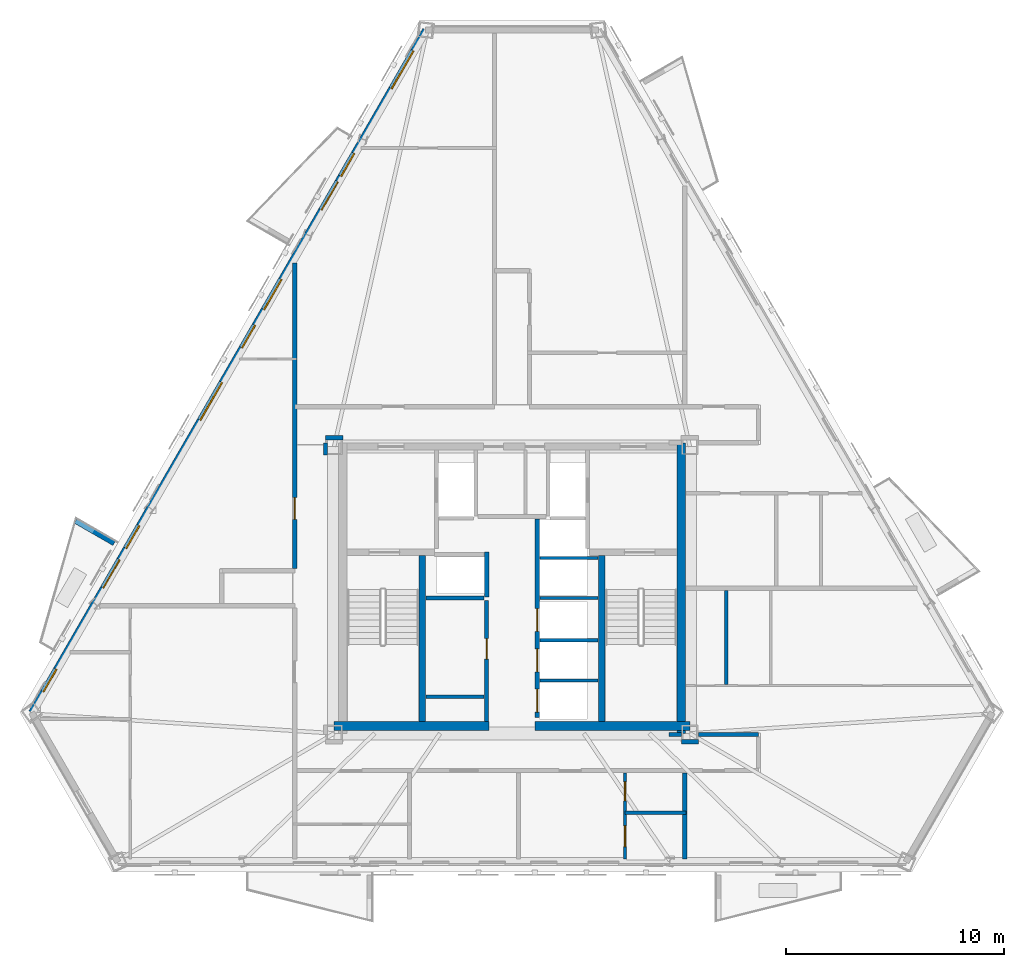
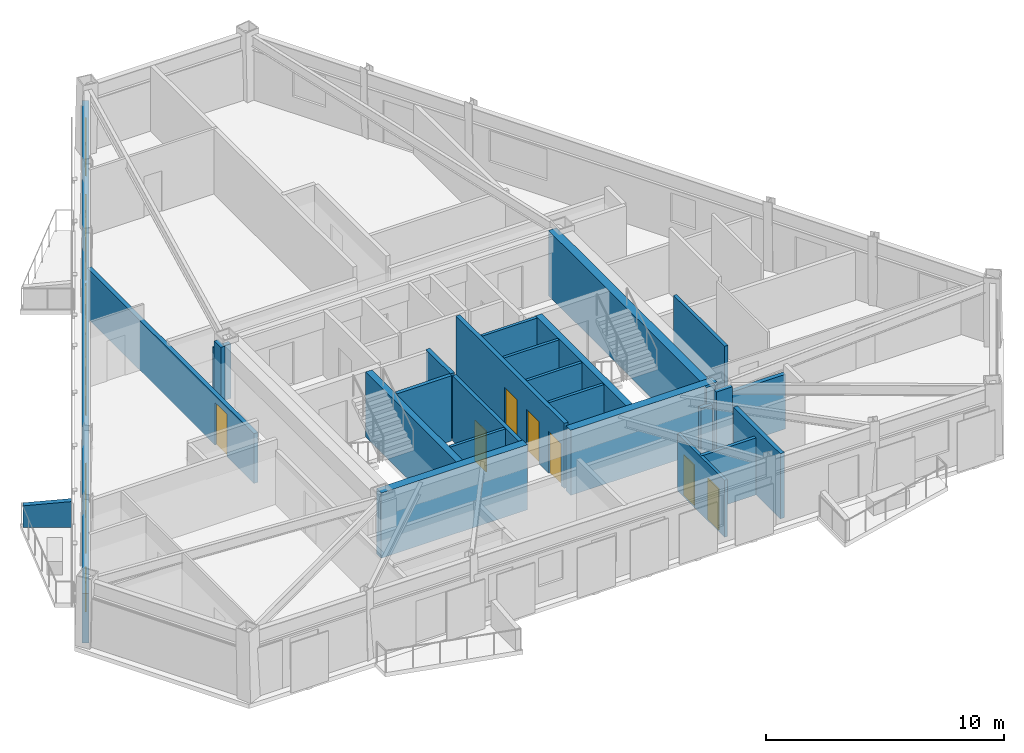
# One storey, part 3 of 9: 26 walls, 9 doors, 7 windows, 16 openings.
"""IFC4 building model written with IfcOpenShell, lengths in metres."""

import ifcopenshell
import ifcopenshell.guid

model = None  # the IFC model being written
_history = None  # IfcOwnerHistory: only IFC2X3 demands one
_inside = {}  # id of a spatial element -> (the spatial element, [elements in it])
_under = {}  # id of a project, library or spatial element -> (it, [spatial elements below it])
_declared = {}  # id of a project -> (the project, [libraries it declares])
_typed = {}  # id of a type object -> (the type object, [elements of that type])
_made_of = {}  # id of a material, layer set ... -> (it, [elements and type objects made of it])


def new_model(schema):
    """Start an empty IFC model of exactly this schema.

    Asked for "IFC4X3", IfcOpenShell would pick the latest addendum, in which some entities
    have other attributes; the version numbers below select the first issue.
    IFC2X3 requires an IfcOwnerHistory on every rooted entity: one is made here for all.
    """
    global model, _history
    if schema == "IFC4X3":
        model = ifcopenshell.file(schema_version=(4, 3, 0, 0))
    else:
        model = ifcopenshell.file(schema=schema)
    _inside.clear()
    _under.clear()
    _declared.clear()
    _typed.clear()
    _made_of.clear()
    _history = None
    if model.schema == "IFC2X3":
        org = make("IfcOrganization", Name="unknown")
        user = make(
            "IfcPersonAndOrganization",
            ThePerson=make("IfcPerson", FamilyName="unknown"),
            TheOrganization=org,
        )
        app = make(
            "IfcApplication",
            ApplicationDeveloper=org,
            Version="unknown",
            ApplicationFullName="unknown",
            ApplicationIdentifier="unknown",
        )
        _history = make(
            "IfcOwnerHistory",
            OwningUser=user,
            OwningApplication=app,
            ChangeAction="ADDED",
            CreationDate=0,
        )
    return model


def make(cls, **values):
    """One entity of the class cls with the attributes given. An attribute that is None is left unset."""
    return model.create_entity(
        cls, **{name: value for name, value in values.items() if value is not None}
    )


def rooted(cls, **values):
    """An entity with a GlobalId (a new one), such as an element, a storey or a relation."""
    return make(cls, GlobalId=ifcopenshell.guid.new(), OwnerHistory=_history, **values)


def si_unit(unit_type, name, prefix=None):
    """IfcSIUnit, for example si_unit("LENGTHUNIT", "METRE", prefix="MILLI")."""
    return make("IfcSIUnit", UnitType=unit_type, Prefix=prefix, Name=name)


def assignment(units):
    """IfcUnitAssignment: the units of a project."""
    return None if units is None else make("IfcUnitAssignment", Units=units)


def point(xyz):
    """IfcCartesianPoint."""
    return None if xyz is None else make("IfcCartesianPoint", Coordinates=xyz)


def direction(xyz):
    """IfcDirection."""
    return None if xyz is None else make("IfcDirection", DirectionRatios=xyz)


def frame(location, z_axis=None, x_axis=None):
    """IfcAxis2Placement3D, a coordinate frame: its origin and axes. An axis left out is left unset."""
    return make(
        "IfcAxis2Placement3D",
        Location=point(location),
        Axis=direction(z_axis),
        RefDirection=direction(x_axis),
    )


def frame_2d(location, x_axis=None):
    """IfcAxis2Placement2D, a coordinate frame in the plane: its origin and x axis."""
    return make(
        "IfcAxis2Placement2D", Location=point(location), RefDirection=direction(x_axis)
    )


def origin():
    """The frame at (0, 0, 0) with its axes left unset."""
    return frame((0.0, 0.0, 0.0))


def place(relative_to, where):
    """IfcLocalPlacement: puts the frame where relative to a parent placement (None: the world)."""
    return make(
        "IfcLocalPlacement", PlacementRelTo=relative_to, RelativePlacement=where
    )


def context(
    kind, dimensions, precision=None, world=None, true_north=None, identifier=None
):
    """IfcGeometricRepresentationContext, for example the 3D "Model" context."""
    return make(
        "IfcGeometricRepresentationContext",
        ContextIdentifier=identifier,
        ContextType=kind,
        CoordinateSpaceDimension=dimensions,
        Precision=precision,
        WorldCoordinateSystem=world,
        TrueNorth=true_north,
    )


def subcontext(parent, identifier, kind, view, scale=None):
    """IfcGeometricRepresentationSubContext, for example "Body" below "Model"."""
    return make(
        "IfcGeometricRepresentationSubContext",
        ContextIdentifier=identifier,
        ContextType=kind,
        ParentContext=parent,
        TargetScale=scale,
        TargetView=view,
    )


def project(units=None, contexts=None):
    """IfcProject with its units and contexts."""
    return rooted(
        "IfcProject",
        Name="project",
        RepresentationContexts=contexts,
        UnitsInContext=assignment(units),
    )


def spatial(cls, under=None, at=None, **own):
    """A site, building, storey or space (cls), placed at a placement, below another one or the project."""
    s = rooted(cls, ObjectPlacement=at, **own)
    if under is not None:
        _under.setdefault(under.id(), (under, []))[1].append(s)
    return s


def polyline(points):
    """IfcPolyline through the points."""
    return make("IfcPolyline", Points=[point(p) for p in points])


def profile(cls, at=None, kind="AREA", **sizes):
    """A parametric profile (cls). Its sizes go by their IFC names, for example OverallWidth=200.0."""
    return make(cls, ProfileType=kind, Position=at, **sizes)


def rectangle(**sizes):
    """IfcRectangleProfileDef."""
    return profile("IfcRectangleProfileDef", **sizes)


def outline(outer, holes=None, kind="AREA"):
    """IfcArbitraryClosedProfileDef: a profile drawn as a closed curve; with holes, ...WithVoids."""
    if holes is None:
        return make("IfcArbitraryClosedProfileDef", ProfileType=kind, OuterCurve=outer)
    return make(
        "IfcArbitraryProfileDefWithVoids",
        ProfileType=kind,
        OuterCurve=outer,
        InnerCurves=holes,
    )


def extrude(swept, where, along, depth):
    """IfcExtrudedAreaSolid: the profile swept, set in the frame where, extruded along a direction by depth."""
    return make(
        "IfcExtrudedAreaSolid",
        SweptArea=swept,
        Position=where,
        ExtrudedDirection=direction(along),
        Depth=depth,
    )


def shape(context_of_items, identifier, shape_type, items):
    """IfcShapeRepresentation: the items that make up one representation, for example the "Body"."""
    return make(
        "IfcShapeRepresentation",
        ContextOfItems=context_of_items,
        RepresentationIdentifier=identifier,
        RepresentationType=shape_type,
        Items=items,
    )


def material(Name=None, Category=None):
    """IfcMaterial."""
    return make("IfcMaterial", Name=Name, Category=Category)


def layer(
    of_material, thickness, ventilated=None, Name=None, Category=None, Priority=None
):
    """IfcMaterialLayer: one layer of a wall or slab, of a material (None: an air gap)."""
    return make(
        "IfcMaterialLayer",
        Material=of_material,
        LayerThickness=thickness,
        IsVentilated=ventilated,
        Name=Name,
        Category=Category,
        Priority=Priority,
    )


def layer_set(layers, Name=None):
    """IfcMaterialLayerSet."""
    return make("IfcMaterialLayerSet", MaterialLayers=layers, LayerSetName=Name)


def made_of(thing, what):
    """Note that an element or type object is made of a material, layer set ...; save() writes the relation."""
    if what is not None:
        _made_of.setdefault(what.id(), (what, []))[1].append(thing)
    return thing


def type_object(cls, material=None, **own):
    """A type object (cls), such as IfcWallType, which elements share."""
    return made_of(rooted(cls, **own), material)


def element(
    cls,
    number,
    at=None,
    inside=None,
    cuts=None,
    type_object=None,
    material=None,
    context=None,
    identifier="Body",
    shape_type=None,
    held_by="IfcProductDefinitionShape",
    body=None,
    shapes=None,
    **own,
):
    """One element of the class cls, such as IfcWall. Its Tag is "e" and its number.

    at: its placement. inside: the storey or other place that contains it. cuts: it is an
    opening in that element (IfcRelVoidsElement). A single representation is given by context,
    identifier, shape_type and body (its items); several are given by shapes. held_by: the class
    of the entity that holds the representations. save() writes the other relations.
    """
    e = rooted(cls, Tag="e%d" % number, ObjectPlacement=at, **own)
    if body is not None:
        shapes = [shape(context, identifier, shape_type, body)]
    if shapes is not None:
        e.Representation = make(held_by, Representations=shapes)
    if inside is not None:
        _inside.setdefault(inside.id(), (inside, []))[1].append(e)
    if cuts is not None:
        rooted(
            "IfcRelVoidsElement", RelatingBuildingElement=cuts, RelatedOpeningElement=e
        )
    if type_object is not None:
        _typed.setdefault(type_object.id(), (type_object, []))[1].append(e)
    return made_of(e, material)


def fill(opening, filler):
    """IfcRelFillsElement: the door or window that sits in an opening."""
    return rooted(
        "IfcRelFillsElement",
        RelatingOpeningElement=opening,
        RelatedBuildingElement=filler,
    )


def aggregate(whole, parts):
    """IfcRelAggregates: a whole, such as a stair, and the parts it consists of."""
    return rooted("IfcRelAggregates", RelatingObject=whole, RelatedObjects=parts)


def save(model, path):
    """Write the relations noted so far, then the file.

    IfcRelAggregates (storeys below a building ...), IfcRelContainedInSpatialStructure (elements
    in a storey), IfcRelDefinesByType, IfcRelAssociatesMaterial and IfcRelDeclares: one each for
    every whole, place, type object, material and project.
    """
    for whole, parts in _under.values():
        aggregate(whole, parts)
    for where, things in _inside.values():
        rooted(
            "IfcRelContainedInSpatialStructure",
            RelatedElements=things,
            RelatingStructure=where,
        )
    for kind, things in _typed.values():
        rooted("IfcRelDefinesByType", RelatedObjects=things, RelatingType=kind)
    for what, things in _made_of.values():
        rooted("IfcRelAssociatesMaterial", RelatedObjects=things, RelatingMaterial=what)
    for by, libraries in _declared.values():
        rooted("IfcRelDeclares", RelatingContext=by, RelatedDefinitions=libraries)
    model.write(path)


model = new_model("IFC4")

# Units and contexts
model_context = context("Model", 3, precision=1e-05, world=origin(), true_north=direction((0.0, 1.0)))
body_context = subcontext(model_context, "Body", "Model", "MODEL_VIEW")
ifc_project = project(units=[si_unit("LENGTHUNIT", "METRE"), si_unit("AREAUNIT", "SQUARE_METRE"), si_unit("VOLUMEUNIT", "CUBIC_METRE"), si_unit("PLANEANGLEUNIT", "RADIAN"), si_unit("MASSUNIT", "GRAM", prefix="KILO")], contexts=[model_context])

# Site, building, storey
site_placement = place(None, origin())
site = spatial("IfcSite", under=ifc_project, at=site_placement, CompositionType="ELEMENT")
building_placement = place(site_placement, origin())
building = spatial("IfcBuilding", under=site, at=building_placement, Name="Oramaril Tower", CompositionType="ELEMENT")
storey_placement = place(building_placement, frame((0.0, 0.0, 185.39990234375)))
storey = spatial("IfcBuildingStorey", under=building, at=storey_placement, Name="L49", CompositionType="ELEMENT", Elevation=185.39990234375)

# Wall, openings, doors, windows
ifc_material_1 = material(Name="Warm Cream Limestone", Category="masonry")
ifc_layer_1 = layer(ifc_material_1, 0.2900390625)
ifc_layer_set_1 = layer_set([ifc_layer_1], Name="WT-EXT29")
wall_type_1 = type_object("IfcWallType", Name="WT-EXT29", PredefinedType="SOLIDWALL", material=ifc_layer_set_1)
wall_1_placement = place(storey_placement, frame((33.538818359375, 43.23779296875, 0.0), z_axis=(0.0, 0.0, 1.0), x_axis=(-0.500007042689, -0.866021337648, 0.0)))
wall_1 = element("IfcWall", 1, at=wall_1_placement, inside=storey, type_object=wall_type_1, Name="L49 Tower Limestone Facade Wall 6M", PredefinedType="SOLIDWALL", context=body_context, shape_type="SweptSolid", body=[
    extrude(rectangle(XDim=36.11474609375, YDim=0.2900390625, at=frame_2d((18.057373046875, 0.0))), origin(), (0.0, 0.0, 1.0), 2.56005859375),
])
opening_1_placement = place(wall_1_placement, frame((8.034423828125, 0.0, 0.0)))
opening_1 = element("IfcOpeningElement", 2, at=opening_1_placement, cuts=wall_1, Name="Opening D-L49-BAL-NW1", PredefinedType="OPENING", context=body_context, shape_type="SweptSolid", body=[
    extrude(rectangle(XDim=1.5, YDim=2.199951171875, at=frame_2d((0.75, 1.10009765625))), frame((0.0, 0.14501953125, 0.0), z_axis=(0.0, -1.0, 0.0), x_axis=(1.0, 0.0, 0.0)), (0.0, 0.0, 1.0), 0.2900390625),
])
opening_2_placement = place(wall_1_placement, frame((28.035400390625, 0.0, 0.0)))
opening_2 = element("IfcOpeningElement", 3, at=opening_2_placement, cuts=wall_1, Name="Opening D-L49-BAL-NW2", PredefinedType="OPENING", context=body_context, shape_type="SweptSolid", body=[
    extrude(rectangle(XDim=1.5, YDim=2.199951171875, at=frame_2d((0.75, 1.10009765625))), frame((0.0, 0.14501953125, 0.0), z_axis=(0.0, -1.0, 0.0), x_axis=(1.0, 0.0, 0.0)), (0.0, 0.0, 1.0), 0.2900390625),
])
opening_3_placement = place(wall_1_placement, frame((33.8310546875, 0.0, 0.85009765625)))
opening_3 = element("IfcOpeningElement", 4, at=opening_3_placement, cuts=wall_1, Name="Opening WN-09", PredefinedType="OPENING", context=body_context, shape_type="SweptSolid", body=[
    extrude(rectangle(XDim=1.199951171875, YDim=1.47998046875, at=frame_2d((0.60009765625, 0.739990234375))), frame((0.0, 0.14501953125, 0.0), z_axis=(0.0, -1.0, 0.0), x_axis=(1.0, 0.0, 0.0)), (0.0, 0.0, 1.0), 0.2900390625),
])
opening_4_placement = place(wall_1_placement, frame((18.6484375, 0.0, 0.85009765625)))
opening_4 = element("IfcOpeningElement", 5, at=opening_4_placement, cuts=wall_1, Name="Opening WN-05", PredefinedType="OPENING", context=body_context, shape_type="SweptSolid", body=[
    extrude(rectangle(XDim=2.0, YDim=1.60009765625, at=frame_2d((1.0, 0.800048828125))), frame((0.0, 0.14501953125, 0.0), z_axis=(0.0, -1.0, 0.0), x_axis=(1.0, 0.0, 0.0)), (0.0, 0.0, 1.0), 0.2900390625),
])
opening_5_placement = place(wall_1_placement, frame((26.234619140625, 0.0, 0.85009765625)))
opening_5 = element("IfcOpeningElement", 6, at=opening_5_placement, cuts=wall_1, Name="Opening WN-09", PredefinedType="OPENING", context=body_context, shape_type="SweptSolid", body=[
    extrude(rectangle(XDim=1.199951171875, YDim=1.47998046875, at=frame_2d((0.60009765625, 0.739990234375))), frame((0.0, 0.14501953125, 0.0), z_axis=(0.0, -1.0, 0.0), x_axis=(1.0, 0.0, 0.0)), (0.0, 0.0, 1.0), 0.2900390625),
])
opening_6_placement = place(wall_1_placement, frame((15.62158203125, 0.0, 0.85009765625)))
opening_6 = element("IfcOpeningElement", 7, at=opening_6_placement, cuts=wall_1, Name="Opening WN-09", PredefinedType="OPENING", context=body_context, shape_type="SweptSolid", body=[
    extrude(rectangle(XDim=1.199951171875, YDim=1.47998046875, at=frame_2d((0.60009765625, 0.739990234375))), frame((0.0, 0.14501953125, 0.0), z_axis=(0.0, -1.0, 0.0), x_axis=(1.0, 0.0, 0.0)), (0.0, 0.0, 1.0), 0.2900390625),
])
opening_7_placement = place(wall_1_placement, frame((6.537109375, 0.0, 0.85009765625)))
opening_7 = element("IfcOpeningElement", 8, at=opening_7_placement, cuts=wall_1, Name="Opening WN-09", PredefinedType="OPENING", context=body_context, shape_type="SweptSolid", body=[
    extrude(rectangle(XDim=1.199951171875, YDim=1.47998046875, at=frame_2d((0.60009765625, 0.739990234375))), frame((0.0, 0.14501953125, 0.0), z_axis=(0.0, -1.0, 0.0), x_axis=(1.0, 0.0, 0.0)), (0.0, 0.0, 1.0), 0.2900390625),
])
opening_8_placement = place(wall_1_placement, frame((13.203857421875, 0.0, 0.85009765625)))
opening_8 = element("IfcOpeningElement", 9, at=opening_8_placement, cuts=wall_1, Name="Opening WN-07", PredefinedType="OPENING", context=body_context, shape_type="SweptSolid", body=[
    extrude(rectangle(XDim=1.60009765625, YDim=1.60009765625, at=frame_2d((0.800048828125, 0.800048828125))), frame((0.0, 0.14501953125, 0.0), z_axis=(0.0, -1.0, 0.0), x_axis=(1.0, 0.0, 0.0)), (0.0, 0.0, 1.0), 0.2900390625),
])
opening_9_placement = place(wall_1_placement, frame((1.106689453125, 0.0, 0.85009765625)))
opening_9 = element("IfcOpeningElement", 10, at=opening_9_placement, cuts=wall_1, Name="Opening WN-05", PredefinedType="OPENING", context=body_context, shape_type="SweptSolid", body=[
    extrude(rectangle(XDim=2.0, YDim=1.60009765625, at=frame_2d((1.0, 0.800048828125))), frame((0.0, 0.14501953125, 0.0), z_axis=(0.0, -1.0, 0.0), x_axis=(1.0, 0.0, 0.0)), (0.0, 0.0, 1.0), 0.2900390625),
])
ifc_material_2 = material(Name="Anodised Aluminium 6063-T6", Category="aluminium")
door_type_1 = type_object("IfcDoorType", Name="DT-BAL", OperationType="NOTDEFINED", PredefinedType="DOOR", material=ifc_material_2)
door_1_placement = place(opening_1_placement, origin())
door_1 = element("IfcDoor", 11, at=door_1_placement, inside=storey, type_object=door_type_1, Name="L49 Balcony Glazed Door L49-BAL-NW1", OperationType="SINGLE_SWING_RIGHT", OverallHeight=2.199951171875, OverallWidth=1.5, PredefinedType="DOOR", context=body_context, shape_type="SweptSolid", body=[
    extrude(rectangle(XDim=1.5, YDim=2.199951171875, at=frame_2d((0.75, 1.10009765625))), frame((0.0, 0.02490234375, 0.0), z_axis=(0.0, -1.0, 0.0), x_axis=(1.0, 0.0, 0.0)), (0.0, 0.0, 1.0), 0.050048828125),
])
fill(opening_1, door_1)
door_2_placement = place(opening_2_placement, origin())
door_2 = element("IfcDoor", 12, at=door_2_placement, inside=storey, type_object=door_type_1, Name="L49 Balcony Glazed Door L49-BAL-NW2", OperationType="SINGLE_SWING_LEFT", OverallHeight=2.199951171875, OverallWidth=1.5, PredefinedType="DOOR", context=body_context, shape_type="SweptSolid", body=[
    extrude(rectangle(XDim=1.5, YDim=2.199951171875, at=frame_2d((0.75, 1.10009765625))), frame((0.0, 0.02490234375, 0.0), z_axis=(0.0, -1.0, 0.0), x_axis=(1.0, 0.0, 0.0)), (0.0, 0.0, 1.0), 0.050048828125),
])
fill(opening_2, door_2)
ifc_material_3 = material(Name="Coastal Low-E Insulated Glass", Category="glass")
window_type_1 = type_object("IfcWindowType", Name="WNT-05", PartitioningType="SINGLE_PANEL", PredefinedType="WINDOW", material=ifc_material_3)
window_1_placement = place(opening_4_placement, origin())
window_1 = element("IfcWindow", 13, at=window_1_placement, inside=storey, type_object=window_type_1, Name="L49 Chicago Bay Window WN-05", OverallHeight=1.60009765625, OverallWidth=2.0, PartitioningType="SINGLE_PANEL", PredefinedType="WINDOW", context=body_context, shape_type="SweptSolid", body=[
    extrude(rectangle(XDim=2.0, YDim=1.60009765625, at=frame_2d((1.0, 0.800048828125))), frame((0.0, 0.030029296875, 0.0), z_axis=(0.0, -1.0, 0.0), x_axis=(1.0, 0.0, 0.0)), (0.0, 0.0, 1.0), 0.06005859375),
])
fill(opening_4, window_1)
window_2_placement = place(opening_9_placement, origin())
window_2 = element("IfcWindow", 14, at=window_2_placement, inside=storey, type_object=window_type_1, Name="L49 Chicago Bay Window WN-05", OverallHeight=1.60009765625, OverallWidth=2.0, PartitioningType="SINGLE_PANEL", PredefinedType="WINDOW", context=body_context, shape_type="SweptSolid", body=[
    extrude(rectangle(XDim=2.0, YDim=1.60009765625, at=frame_2d((1.0, 0.800048828125))), frame((0.0, 0.030029296875, 0.0), z_axis=(0.0, -1.0, 0.0), x_axis=(1.0, 0.0, 0.0)), (0.0, 0.0, 1.0), 0.06005859375),
])
fill(opening_9, window_2)
ifc_material_4 = material(Name="Coastal Low-E Insulated Glass", Category="glass")
window_type_2 = type_object("IfcWindowType", Name="WNT-07", PartitioningType="SINGLE_PANEL", PredefinedType="WINDOW", material=ifc_material_4)
window_3_placement = place(opening_8_placement, origin())
window_3 = element("IfcWindow", 15, at=window_3_placement, inside=storey, type_object=window_type_2, Name="L49 Chicago Bay Window WN-07", OverallHeight=1.60009765625, OverallWidth=1.60009765625, PartitioningType="SINGLE_PANEL", PredefinedType="WINDOW", context=body_context, shape_type="SweptSolid", body=[
    extrude(rectangle(XDim=1.60009765625, YDim=1.60009765625, at=frame_2d((0.800048828125, 0.800048828125))), frame((0.0, 0.030029296875, 0.0), z_axis=(0.0, -1.0, 0.0), x_axis=(1.0, 0.0, 0.0)), (0.0, 0.0, 1.0), 0.06005859375),
])
fill(opening_8, window_3)
ifc_material_5 = material(Name="Coastal Low-E Insulated Glass", Category="glass")
window_type_3 = type_object("IfcWindowType", Name="WNT-09", PartitioningType="SINGLE_PANEL", PredefinedType="WINDOW", material=ifc_material_5)
window_4_placement = place(opening_3_placement, origin())
window_4 = element("IfcWindow", 16, at=window_4_placement, inside=storey, type_object=window_type_3, Name="L49 Chicago Bay Window WN-09", OverallHeight=1.47998046875, OverallWidth=1.199951171875, PartitioningType="SINGLE_PANEL", PredefinedType="WINDOW", context=body_context, shape_type="SweptSolid", body=[
    extrude(rectangle(XDim=1.199951171875, YDim=1.47998046875, at=frame_2d((0.60009765625, 0.739990234375))), frame((0.0, 0.030029296875, 0.0), z_axis=(0.0, -1.0, 0.0), x_axis=(1.0, 0.0, 0.0)), (0.0, 0.0, 1.0), 0.06005859375),
])
fill(opening_3, window_4)
window_5_placement = place(opening_5_placement, origin())
window_5 = element("IfcWindow", 17, at=window_5_placement, inside=storey, type_object=window_type_3, Name="L49 Chicago Bay Window WN-09", OverallHeight=1.47998046875, OverallWidth=1.199951171875, PartitioningType="SINGLE_PANEL", PredefinedType="WINDOW", context=body_context, shape_type="SweptSolid", body=[
    extrude(rectangle(XDim=1.199951171875, YDim=1.47998046875, at=frame_2d((0.60009765625, 0.739990234375))), frame((0.0, 0.030029296875, 0.0), z_axis=(0.0, -1.0, 0.0), x_axis=(1.0, 0.0, 0.0)), (0.0, 0.0, 1.0), 0.06005859375),
])
fill(opening_5, window_5)
window_6_placement = place(opening_6_placement, origin())
window_6 = element("IfcWindow", 18, at=window_6_placement, inside=storey, type_object=window_type_3, Name="L49 Chicago Bay Window WN-09", OverallHeight=1.47998046875, OverallWidth=1.199951171875, PartitioningType="SINGLE_PANEL", PredefinedType="WINDOW", context=body_context, shape_type="SweptSolid", body=[
    extrude(rectangle(XDim=1.199951171875, YDim=1.47998046875, at=frame_2d((0.60009765625, 0.739990234375))), frame((0.0, 0.030029296875, 0.0), z_axis=(0.0, -1.0, 0.0), x_axis=(1.0, 0.0, 0.0)), (0.0, 0.0, 1.0), 0.06005859375),
])
fill(opening_6, window_6)
window_7_placement = place(opening_7_placement, origin())
window_7 = element("IfcWindow", 19, at=window_7_placement, inside=storey, type_object=window_type_3, Name="L49 Chicago Bay Window WN-09", OverallHeight=1.47998046875, OverallWidth=1.199951171875, PartitioningType="SINGLE_PANEL", PredefinedType="WINDOW", context=body_context, shape_type="SweptSolid", body=[
    extrude(rectangle(XDim=1.199951171875, YDim=1.47998046875, at=frame_2d((0.60009765625, 0.739990234375))), frame((0.0, 0.030029296875, 0.0), z_axis=(0.0, -1.0, 0.0), x_axis=(1.0, 0.0, 0.0)), (0.0, 0.0, 1.0), 0.06005859375),
])
fill(opening_7, window_7)

# Walls
ifc_material_6 = material(Name="Concrete C40/50", Category="concrete")
ifc_layer_2 = layer(ifc_material_6, 0.22998046875)
ifc_layer_set_2 = layer_set([ifc_layer_2], Name="WT-PRP23")
wall_type_2 = type_object("IfcWallType", Name="WT-PRP23", PredefinedType="PARAPET", material=ifc_layer_set_2)
wall_2_placement = place(storey_placement, frame((19.265625, 19.712158203125, 0.0), z_axis=(0.0, 0.0, 1.0), x_axis=(-0.866012356593, 0.500022597718, 0.0)))
element("IfcWall", 20, at=wall_2_placement, inside=storey, type_object=wall_type_2, Name="L49 Trapezoidal Balcony Frame Cheek L49-BAL-NW2-L", PredefinedType="PARAPET", context=body_context, shape_type="SweptSolid", body=[
    extrude(outline(polyline([(0.0, 0.0), (2.0419921875, 0.0), (2.0419921875, 1.10009765625), (0.0, 1.320068359375), (0.0, 0.0)])), frame((0.0, 0.114990234375, 0.0), z_axis=(0.0, -1.0, 0.0), x_axis=(1.0, 0.0, 0.0)), (0.0, 0.0, 1.0), 0.22998046875),
])
ifc_material_7 = material(Name="Acoustic Gypsum Board Partition")
ifc_layer_3 = layer(ifc_material_7, 0.139892578125)
ifc_layer_set_3 = layer_set([ifc_layer_3], Name="WT-PT14")
wall_type_3 = type_object("IfcWallType", Name="WT-PT14", PredefinedType="PARTITIONING", material=ifc_layer_set_3)
for number, where, z_axis, x_axis, name in (
    (21, (33.56005859375, 12.679931640625, 0.0), (0.0, 0.0, 1.0), (1.0, 0.0, 0.0), "L49 Freed Shaft South Closure"),
    (22, (38.780029296875, 13.419921875, 0.0), (0.0, 0.0, 1.0), (1.0, 0.0, 0.0), "L49 East Lift Divider"),
    (23, (38.780029296875, 15.27001953125, 0.0), (0.0, 0.0, 1.0), (1.0, 0.0, 0.0), "L49 East Lift Divider"),
    (24, (38.780029296875, 17.199951171875, 0.0), (0.0, 0.0, 1.0), (1.0, 0.0, 0.0), "L49 East Lift Divider"),
    (25, (38.780029296875, 19.050048828125, 0.0), (0.0, 0.0, 1.0), (1.0, 0.0, 0.0), "L49 East Lift Divider"),
):
    element("IfcWall", number, at=place(storey_placement, frame(where, z_axis=z_axis, x_axis=x_axis)), inside=storey, type_object=wall_type_3, Name=name, PredefinedType="PARTITIONING", context=body_context, shape_type="SweptSolid", body=[
        extrude(rectangle(XDim=2.659912109375, YDim=0.139892578125, at=frame_2d((1.330078125, 0.0))), origin(), (0.0, 0.0, 1.0), 3.340087890625),
    ])

# Wall, openings, doors
wall_3_placement = place(storey_placement, frame((42.679931640625, 5.24951171875, 0.0), z_axis=(0.0, 0.0, 1.0), x_axis=(0.0, 1.0, 0.0)))
wall_3 = element("IfcWall", 26, at=wall_3_placement, inside=storey, type_object=wall_type_3, Name="L49 Interior Partition PT-14", PredefinedType="PARTITIONING", context=body_context, shape_type="SweptSolid", body=[
    extrude(rectangle(XDim=3.946533203125, YDim=0.139892578125, at=frame_2d((1.97314453125, 0.0))), origin(), (0.0, 0.0, 1.0), 2.926025390625),
])
opening_10_placement = place(wall_3_placement, frame((0.564453125, 0.0, 0.0)))
opening_10 = element("IfcOpeningElement", 27, at=opening_10_placement, cuts=wall_3, Name="Opening D-L49-23", PredefinedType="OPENING", context=body_context, shape_type="SweptSolid", body=[
    extrude(rectangle(XDim=0.949951171875, YDim=2.10009765625, at=frame_2d((0.47509765625, 1.050048828125))), frame((0.0, 0.06982421875, 0.0), z_axis=(0.0, -1.0, 0.0), x_axis=(1.0, 0.0, 0.0)), (0.0, 0.0, 1.0), 0.139892578125),
])
opening_11_placement = place(wall_3_placement, frame((2.654296875, 0.0, 0.0)))
opening_11 = element("IfcOpeningElement", 28, at=opening_11_placement, cuts=wall_3, Name="Opening D-L49-24", PredefinedType="OPENING", context=body_context, shape_type="SweptSolid", body=[
    extrude(rectangle(XDim=0.8798828125, YDim=2.080078125, at=frame_2d((0.43994140625, 1.0400390625))), frame((0.0, 0.06982421875, 0.0), z_axis=(0.0, -1.0, 0.0), x_axis=(1.0, 0.0, 0.0)), (0.0, 0.0, 1.0), 0.139892578125),
])
ifc_material_8 = material(Name="FSC Brazilian Freijo Hardwood", Category="wood")
door_type_2 = type_object("IfcDoorType", Name="DT-BATH", OperationType="NOTDEFINED", PredefinedType="DOOR", material=ifc_material_8)
door_3_placement = place(opening_11_placement, origin())
door_3 = element("IfcDoor", 29, at=door_3_placement, inside=storey, type_object=door_type_2, Name="L49 Flat L49-U2 Bathroom Door D-L49-24", OperationType="SINGLE_SWING_LEFT", OverallHeight=2.080078125, OverallWidth=0.8798828125, PredefinedType="DOOR", context=body_context, shape_type="SweptSolid", body=[
    extrude(rectangle(XDim=0.8798828125, YDim=2.080078125, at=frame_2d((0.43994140625, 1.0400390625))), frame((0.0, 0.02490234375, 0.0), z_axis=(0.0, -1.0, 0.0), x_axis=(1.0, 0.0, 0.0)), (0.0, 0.0, 1.0), 0.050048828125),
])
fill(opening_11, door_3)
ifc_material_9 = material(Name="FSC Brazilian Freijo Hardwood", Category="wood")
door_type_3 = type_object("IfcDoorType", Name="DT-STDY", OperationType="NOTDEFINED", PredefinedType="DOOR", material=ifc_material_9)
door_4_placement = place(opening_10_placement, origin())
door_4 = element("IfcDoor", 30, at=door_4_placement, inside=storey, type_object=door_type_3, Name="L49 Flat L49-U2 Kitchen Door D-L49-23", OperationType="SINGLE_SWING_RIGHT", OverallHeight=2.10009765625, OverallWidth=0.949951171875, PredefinedType="DOOR", context=body_context, shape_type="SweptSolid", body=[
    extrude(rectangle(XDim=0.949951171875, YDim=2.10009765625, at=frame_2d((0.47509765625, 1.050048828125))), frame((0.0, 0.02490234375, 0.0), z_axis=(0.0, -1.0, 0.0), x_axis=(1.0, 0.0, 0.0)), (0.0, 0.0, 1.0), 0.050048828125),
])
fill(opening_10, door_4)

# Walls
ifc_material_10 = material(Name="Acoustic Gypsum Board Partition")
ifc_layer_4 = layer(ifc_material_10, 0.159912109375)
ifc_layer_set_4 = layer_set([ifc_layer_4], Name="WT-PT16")
wall_type_4 = type_object("IfcWallType", Name="WT-PT16", PredefinedType="PARTITIONING", material=ifc_layer_set_4)
wall_4_placement = place(storey_placement, frame((42.6767578125, 7.360107421875, 0.0), z_axis=(0.0, 0.0, 1.0), x_axis=(1.0, 0.0, 0.0)))
element("IfcWall", 31, at=wall_4_placement, inside=storey, type_object=wall_type_4, Name="L49 Interior Partition PT-16", PredefinedType="PARTITIONING", context=body_context, shape_type="SweptSolid", body=[
    extrude(rectangle(XDim=2.793212890625, YDim=0.159912109375, at=frame_2d((1.396484375, 0.0))), origin(), (0.0, 0.0, 1.0), 2.926025390625),
])
wall_5_placement = place(storey_placement, frame((47.31005859375, 13.243896484375, 0.0), z_axis=(0.0, 0.0, 1.0), x_axis=(0.0, 1.0, 0.0)))
element("IfcWall", 32, at=wall_5_placement, inside=storey, type_object=wall_type_4, Name="L49 Interior Partition PT-16", PredefinedType="PARTITIONING", context=body_context, shape_type="SweptSolid", body=[
    extrude(rectangle(XDim=4.302001953125, YDim=0.159912109375, at=frame_2d((2.15087890625, 0.0))), origin(), (0.0, 0.0, 1.0), 3.340087890625),
])
ifc_material_11 = material(Name="Autoclaved Cellular Concrete Block", Category="concrete")
ifc_layer_5 = layer(ifc_material_11, 0.179931640625)
ifc_layer_set_5 = layer_set([ifc_layer_5], Name="WT-PT18")
wall_type_5 = type_object("IfcWallType", Name="WT-PT18", PredefinedType="PARTITIONING", material=ifc_layer_set_5)
wall_6_placement = place(storey_placement, frame((33.56005859375, 17.199951171875, 0.0), z_axis=(0.0, 0.0, 1.0), x_axis=(1.0, 0.0, 0.0)))
element("IfcWall", 33, at=wall_6_placement, inside=storey, type_object=wall_type_5, Name="L49 High-Rise Lift H1 South Wall", PredefinedType="PARTITIONING", context=body_context, shape_type="SweptSolid", body=[
    extrude(rectangle(XDim=2.659912109375, YDim=0.179931640625, at=frame_2d((1.330078125, 0.0))), origin(), (0.0, 0.0, 1.0), 3.340087890625),
])

# Wall, opening, door
wall_7_placement = place(storey_placement, frame((36.340087890625, 11.550048828125, 0.0), z_axis=(0.0, 0.0, 1.0), x_axis=(0.0, 1.0, 0.0)))
wall_7 = element("IfcWall", 34, at=wall_7_placement, inside=storey, type_object=wall_type_5, Name="L49 Freed Shaft Study East Wall", PredefinedType="PARTITIONING", context=body_context, shape_type="SweptSolid", body=[
    extrude(rectangle(XDim=5.550048828125, YDim=0.179931640625, at=frame_2d((2.77490234375, 0.0))), origin(), (0.0, 0.0, 1.0), 3.340087890625),
])
opening_12_placement = place(wall_7_placement, frame((2.85009765625, 0.0, 0.0)))
opening_12 = element("IfcOpeningElement", 35, at=opening_12_placement, cuts=wall_7, Name="Opening D-L49-FL1", PredefinedType="OPENING", context=body_context, shape_type="SweptSolid", body=[
    extrude(rectangle(XDim=0.949951171875, YDim=2.10009765625, at=frame_2d((0.47509765625, 1.050048828125))), frame((0.0, 0.08984375, 0.0), z_axis=(0.0, -1.0, 0.0), x_axis=(1.0, 0.0, 0.0)), (0.0, 0.0, 1.0), 0.179931640625),
])
door_5_placement = place(opening_12_placement, origin())
door_5 = element("IfcDoor", 36, at=door_5_placement, inside=storey, type_object=door_type_3, Name="L49 L49 Residents Library Study Door", OperationType="SINGLE_SWING_LEFT", OverallHeight=2.10009765625, OverallWidth=0.949951171875, PredefinedType="DOOR", context=body_context, shape_type="SweptSolid", body=[
    extrude(rectangle(XDim=0.949951171875, YDim=2.10009765625, at=frame_2d((0.47509765625, 1.050048828125))), frame((0.0, 0.02490234375, 0.0), z_axis=(0.0, -1.0, 0.0), x_axis=(1.0, 0.0, 0.0)), (0.0, 0.0, 1.0), 0.050048828125),
])
fill(opening_12, door_5)

# Walls
ifc_material_12 = material(Name="Autoclaved Cellular Concrete Block", Category="concrete")
ifc_layer_6 = layer(ifc_material_12, 0.199951171875)
ifc_layer_set_6 = layer_set([ifc_layer_6], Name="WT-PT20")
wall_type_6 = type_object("IfcWallType", Name="WT-PT20", PredefinedType="PARTITIONING", material=ifc_layer_set_6)
wall_8_placement = place(storey_placement, frame((45.260009765625, 10.610107421875, 0.0), z_axis=(0.0, 0.0, 1.0), x_axis=(1.0, 0.0, 0.0)))
element("IfcWall", 37, at=wall_8_placement, inside=storey, type_object=wall_type_6, Name="L49 Interior Partition PT-20", PredefinedType="PARTITIONING", context=body_context, shape_type="SweptSolid", body=[
    extrude(rectangle(XDim=0.780029296875, YDim=0.199951171875, at=frame_2d((0.39013671875, 0.0))), origin(), (0.0, 0.0, 1.0), 3.340087890625),
])
wall_9_placement = place(storey_placement, frame((44.695068359375, 10.949951171875, 0.0), z_axis=(0.0, 0.0, 1.0), x_axis=(1.0, 0.0, 0.0)))
element("IfcWall", 38, at=wall_9_placement, inside=storey, type_object=wall_type_6, Name="L49 Interior Partition PT-20", PredefinedType="PARTITIONING", context=body_context, shape_type="SweptSolid", body=[
    extrude(rectangle(XDim=0.56494140625, YDim=0.199951171875, at=frame_2d((0.282470703125, 0.0))), origin(), (0.0, 0.0, 1.0), 2.47998046875),
])
wall_10_placement = place(storey_placement, frame((46.0400390625, 10.949951171875, 0.0), z_axis=(0.0, 0.0, 1.0), x_axis=(1.0, 0.0, 0.0)))
element("IfcWall", 39, at=wall_10_placement, inside=storey, type_object=wall_type_6, Name="L49 Interior Partition PT-20", PredefinedType="PARTITIONING", context=body_context, shape_type="SweptSolid", body=[
    extrude(rectangle(XDim=2.760009765625, YDim=0.199951171875, at=frame_2d((1.3798828125, 0.0))), origin(), (0.0, 0.0, 1.0), 2.802001953125),
])
wall_11_placement = place(storey_placement, frame((28.955078125, 24.550048828125, 0.0), z_axis=(0.0, 0.0, 1.0), x_axis=(1.0, 0.0, 0.0)))
element("IfcWall", 40, at=wall_11_placement, inside=storey, type_object=wall_type_6, Name="L49 Interior Partition PT-20", PredefinedType="PARTITIONING", context=body_context, shape_type="SweptSolid", body=[
    extrude(rectangle(XDim=0.7900390625, YDim=0.199951171875, at=frame_2d((0.39501953125, 0.0))), origin(), (0.0, 0.0, 1.0), 2.802001953125),
])

# Wall, opening, door
wall_12_placement = place(storey_placement, frame((27.550048828125, 18.553955078125, 0.0), z_axis=(0.0, 0.0, 1.0), x_axis=(0.0, 1.0, 0.0)))
wall_12 = element("IfcWall", 41, at=wall_12_placement, inside=storey, type_object=wall_type_6, Name="L49 Interior Partition PT-20", PredefinedType="PARTITIONING", context=body_context, shape_type="SweptSolid", body=[
    extrude(rectangle(XDim=14.01318359375, YDim=0.199951171875, at=frame_2d((7.006591796875, 0.0))), origin(), (0.0, 0.0, 1.0), 2.56005859375),
])
opening_13_placement = place(wall_12_placement, frame((2.257080078125, 0.0, 0.0)))
opening_13 = element("IfcOpeningElement", 42, at=opening_13_placement, cuts=wall_12, Name="Opening D-L49-21", PredefinedType="OPENING", context=body_context, shape_type="SweptSolid", body=[
    extrude(rectangle(XDim=1.0, YDim=2.179931640625, at=frame_2d((0.5, 1.08984375))), frame((0.0, 0.10009765625, 0.0), z_axis=(0.0, -1.0, 0.0), x_axis=(1.0, 0.0, 0.0)), (0.0, 0.0, 1.0), 0.199951171875),
])
ifc_material_13 = material(Name="FSC Brazilian Freijo Hardwood", Category="wood")
door_type_4 = type_object("IfcDoorType", Name="DT-APT", OperationType="NOTDEFINED", PredefinedType="DOOR", material=ifc_material_13)
door_6_placement = place(opening_13_placement, origin())
door_6 = element("IfcDoor", 43, at=door_6_placement, inside=storey, type_object=door_type_4, Name="L49 Flat L49-U4 Kitchen and Studio Apartment Door D-L49-21", OperationType="SINGLE_SWING_RIGHT", OverallHeight=2.179931640625, OverallWidth=1.0, PredefinedType="DOOR", context=body_context, shape_type="SweptSolid", body=[
    extrude(rectangle(XDim=1.0, YDim=2.179931640625, at=frame_2d((0.5, 1.08984375))), frame((0.0, 0.02490234375, 0.0), z_axis=(0.0, -1.0, 0.0), x_axis=(1.0, 0.0, 0.0)), (0.0, 0.0, 1.0), 0.050048828125),
])
fill(opening_13, door_6)

# Walls
wall_13_placement = place(storey_placement, frame((28.949951171875, 23.7548828125, 0.0), z_axis=(0.0, 0.0, 1.0), x_axis=(0.0, 1.0, 0.0)))
element("IfcWall", 44, at=wall_13_placement, inside=storey, type_object=wall_type_6, Name="L49 Interior Partition PT-20", PredefinedType="PARTITIONING", context=body_context, shape_type="SweptSolid", body=[
    extrude(rectangle(XDim=0.565185546875, YDim=0.199951171875, at=frame_2d((0.28271484375, 0.0))), origin(), (0.0, 0.0, 1.0), 3.340087890625),
])
wall_14_placement = place(storey_placement, frame((45.419921875, 5.24951171875, 0.0), z_axis=(0.0, 0.0, 1.0), x_axis=(0.0, 1.0, 0.0)))
element("IfcWall", 45, at=wall_14_placement, inside=storey, type_object=wall_type_6, Name="L49 Interior Partition PT-20", PredefinedType="PARTITIONING", context=body_context, shape_type="SweptSolid", body=[
    extrude(rectangle(XDim=3.946533203125, YDim=0.199951171875, at=frame_2d((1.97314453125, 0.0))), origin(), (0.0, 0.0, 1.0), 3.340087890625),
])
ifc_material_14 = material(Name="Concrete C50/60", Category="concrete")
ifc_layer_7 = layer(ifc_material_14, 0.300048828125)
ifc_layer_set_7 = layer_set([ifc_layer_7], Name="WT-SH30")
wall_type_7 = type_object("IfcWallType", Name="WT-SH30", PredefinedType="SHEAR", material=ifc_layer_set_7)
for number, where, z_axis, x_axis, name in (
    (46, (33.3798828125, 11.5400390625, 0.0), (0.0, 0.0, 1.0), (0.0, 1.0, 0.0), "L49 Core Shear Wall CW-ST1E"),
    (47, (41.6201171875, 11.5400390625, 0.0), (0.0, 0.0, 1.0), (0.0, 1.0, 0.0), "L49 Core Shear Wall CW-ST2W"),
):
    element("IfcWall", number, at=place(storey_placement, frame(where, z_axis=z_axis, x_axis=x_axis)), inside=storey, type_object=wall_type_7, Name=name, PredefinedType="SHEAR", context=body_context, shape_type="SweptSolid", body=[
        extrude(rectangle(XDim=7.619873046875, YDim=0.300048828125, at=frame_2d((3.81005859375, 0.0))), origin(), (0.0, 0.0, 1.0), 3.340087890625),
    ])
ifc_material_15 = material(Name="Concrete C50/60", Category="concrete")
ifc_layer_8 = layer(ifc_material_15, 0.39990234375)
ifc_layer_set_8 = layer_set([ifc_layer_8], Name="WT-SH40")
wall_type_8 = type_object("IfcWallType", Name="WT-SH40", PredefinedType="SHEAR", material=ifc_layer_set_8)
wall_15_placement = place(storey_placement, frame((45.260009765625, 11.0, 0.0), z_axis=(0.0, 0.0, 1.0), x_axis=(0.0, 1.0, 0.0)))
element("IfcWall", 48, at=wall_15_placement, inside=storey, type_object=wall_type_8, Name="L49 Core Shear Wall CW-E", PredefinedType="SHEAR", context=body_context, shape_type="SweptSolid", body=[
    extrude(rectangle(XDim=13.300048828125, YDim=0.39990234375, at=frame_2d((6.64990234375, 0.0))), origin(), (0.0, 0.0, 1.0), 3.340087890625),
])
for number, where, z_axis, x_axis, name in (
    (49, (29.35009765625, 11.340087890625, 0.0), (0.0, 0.0, 1.0), (1.0, 0.0, 0.0), "L49 Core Shear Wall CW-SW"),
    (50, (38.550048828125, 11.340087890625, 0.0), (0.0, 0.0, 1.0), (1.0, 0.0, 0.0), "L49 Core Shear Wall CW-SE"),
):
    element("IfcWall", number, at=place(storey_placement, frame(where, z_axis=z_axis, x_axis=x_axis)), inside=storey, type_object=wall_type_8, Name=name, PredefinedType="SHEAR", context=body_context, shape_type="SweptSolid", body=[
        extrude(rectangle(XDim=7.099853515625, YDim=0.39990234375, at=frame_2d((3.5498046875, 0.0))), origin(), (0.0, 0.0, 1.0), 3.340087890625),
    ])
ifc_material_16 = material(Name="Autoclaved Cellular Concrete Block", Category="concrete")
ifc_layer_9 = layer(ifc_material_16, 0.199951171875)
ifc_layer_set_9 = layer_set([ifc_layer_9], Name="WT-SHF20")
wall_type_9 = type_object("IfcWallType", Name="WT-SHF20", PredefinedType="PARTITIONING", material=ifc_layer_set_9)
wall_16_placement = place(storey_placement, frame((36.340087890625, 17.25, 0.0), z_axis=(0.0, 0.0, 1.0), x_axis=(0.0, 1.0, 0.0)))
element("IfcWall", 51, at=wall_16_placement, inside=storey, type_object=wall_type_9, Name="L49 High-Rise Lift H1 Front Wall", PredefinedType="PARTITIONING", context=body_context, shape_type="SweptSolid", body=[
    extrude(rectangle(XDim=2.070068359375, YDim=0.199951171875, at=frame_2d((1.03515625, 0.0))), origin(), (0.0, 0.0, 1.0), 3.340087890625),
])

# Wall, openings, doors
wall_17_placement = place(storey_placement, frame((38.659912109375, 11.719970703125, 0.0), z_axis=(0.0, 0.0, 1.0), x_axis=(0.0, 1.0, 0.0)))
wall_17 = element("IfcWall", 52, at=wall_17_placement, inside=storey, type_object=wall_type_9, Name="L49 East Lift Bank Front Wall", PredefinedType="PARTITIONING", context=body_context, shape_type="SweptSolid", body=[
    extrude(rectangle(XDim=9.10009765625, YDim=0.199951171875, at=frame_2d((4.550048828125, 0.0))), origin(), (0.0, 0.0, 1.0), 3.340087890625),
])
opening_14_placement = place(wall_17_placement, frame((0.2548828125, 0.0, 0.0)))
opening_14 = element("IfcOpeningElement", 53, at=opening_14_placement, cuts=wall_17, Name="Opening LD-L49-LP-M1", PredefinedType="OPENING", context=body_context, shape_type="SweptSolid", body=[
    extrude(rectangle(XDim=1.050048828125, YDim=2.14990234375, at=frame_2d((0.52490234375, 1.074951171875))), frame((0.0, 0.10009765625, 0.0), z_axis=(0.0, -1.0, 0.0), x_axis=(1.0, 0.0, 0.0)), (0.0, 0.0, 1.0), 0.199951171875),
])
opening_15_placement = place(wall_17_placement, frame((2.10498046875, 0.0, 0.0)))
opening_15 = element("IfcOpeningElement", 54, at=opening_15_placement, cuts=wall_17, Name="Opening LD-L49-LP-M2", PredefinedType="OPENING", context=body_context, shape_type="SweptSolid", body=[
    extrude(rectangle(XDim=1.050048828125, YDim=2.14990234375, at=frame_2d((0.52490234375, 1.074951171875))), frame((0.0, 0.10009765625, 0.0), z_axis=(0.0, -1.0, 0.0), x_axis=(1.0, 0.0, 0.0)), (0.0, 0.0, 1.0), 0.199951171875),
])
opening_16_placement = place(wall_17_placement, frame((3.955078125, 0.0, 0.0)))
opening_16 = element("IfcOpeningElement", 55, at=opening_16_placement, cuts=wall_17, Name="Opening LD-L49-LP-M3", PredefinedType="OPENING", context=body_context, shape_type="SweptSolid", body=[
    extrude(rectangle(XDim=1.050048828125, YDim=2.14990234375, at=frame_2d((0.52490234375, 1.074951171875))), frame((0.0, 0.10009765625, 0.0), z_axis=(0.0, -1.0, 0.0), x_axis=(1.0, 0.0, 0.0)), (0.0, 0.0, 1.0), 0.199951171875),
])
ifc_material_17 = material(Name="Stainless Steel 316L", Category="steel")
door_type_5 = type_object("IfcDoorType", Name="DT-LD2", OperationType="NOTDEFINED", PredefinedType="DOOR", material=ifc_material_17)
door_7_placement = place(opening_14_placement, origin())
door_7 = element("IfcDoor", 56, at=door_7_placement, inside=storey, type_object=door_type_5, Name="L49 Lift LP-M1 Sliding Landing Door", OperationType="SLIDING_TO_RIGHT", OverallHeight=2.14990234375, OverallWidth=1.050048828125, PredefinedType="DOOR", context=body_context, shape_type="SweptSolid", body=[
    extrude(rectangle(XDim=1.050048828125, YDim=2.14990234375, at=frame_2d((0.52490234375, 1.074951171875))), frame((0.0, 0.02490234375, 0.0), z_axis=(0.0, -1.0, 0.0), x_axis=(1.0, 0.0, 0.0)), (0.0, 0.0, 1.0), 0.050048828125),
])
fill(opening_14, door_7)
door_8_placement = place(opening_15_placement, origin())
door_8 = element("IfcDoor", 57, at=door_8_placement, inside=storey, type_object=door_type_5, Name="L49 Lift LP-M2 Sliding Landing Door", OperationType="SLIDING_TO_LEFT", OverallHeight=2.14990234375, OverallWidth=1.050048828125, PredefinedType="DOOR", context=body_context, shape_type="SweptSolid", body=[
    extrude(rectangle(XDim=1.050048828125, YDim=2.14990234375, at=frame_2d((0.52490234375, 1.074951171875))), frame((0.0, 0.02490234375, 0.0), z_axis=(0.0, -1.0, 0.0), x_axis=(1.0, 0.0, 0.0)), (0.0, 0.0, 1.0), 0.050048828125),
])
fill(opening_15, door_8)
door_9_placement = place(opening_16_placement, origin())
door_9 = element("IfcDoor", 58, at=door_9_placement, inside=storey, type_object=door_type_5, Name="L49 Lift LP-M3 Sliding Landing Door", OperationType="SLIDING_TO_RIGHT", OverallHeight=2.14990234375, OverallWidth=1.050048828125, PredefinedType="DOOR", context=body_context, shape_type="SweptSolid", body=[
    extrude(rectangle(XDim=1.050048828125, YDim=2.14990234375, at=frame_2d((0.52490234375, 1.074951171875))), frame((0.0, 0.02490234375, 0.0), z_axis=(0.0, -1.0, 0.0), x_axis=(1.0, 0.0, 0.0)), (0.0, 0.0, 1.0), 0.050048828125),
])
fill(opening_16, door_9)

save(model, "model.ifc")
